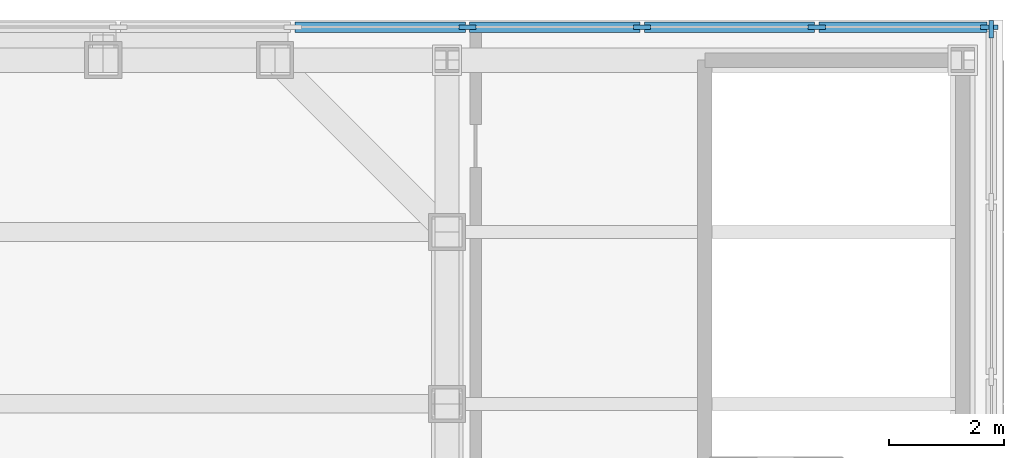
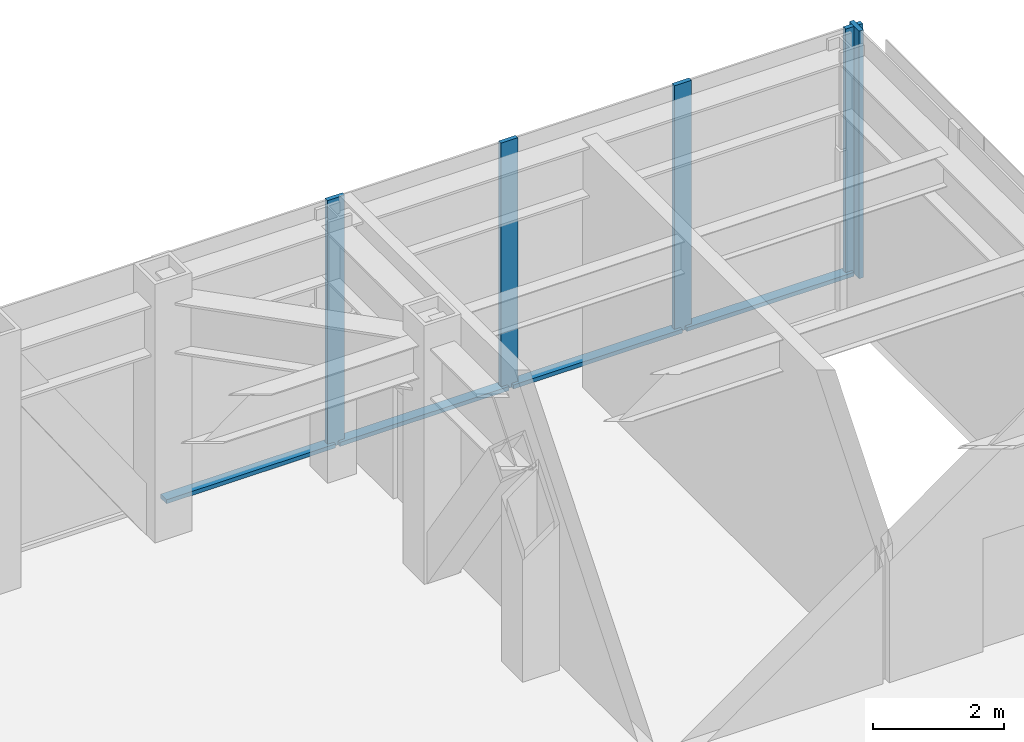
# One storey, part 11 of 24: 9 members, 2 elements without a shape of their own.
"""IFC4 building model written with IfcOpenShell, lengths in metres."""

from ifc_helpers import new_model, si_unit, direction, frame, origin, origin_2d, place, context, subcontext, project, spatial, rectangle, extrude, material, layer, layer_set, material_profile, profile_set, type_object, element, aggregate, save


model = new_model("IFC4")

# Units and contexts
model_context = context("Model", 3, precision=1e-05, world=origin(), true_north=direction((0.0, 1.0)))
body_context = subcontext(model_context, "Body", "Model", "MODEL_VIEW")
ifc_project = project(units=[si_unit("LENGTHUNIT", "METRE"), si_unit("AREAUNIT", "SQUARE_METRE"), si_unit("VOLUMEUNIT", "CUBIC_METRE"), si_unit("PLANEANGLEUNIT", "RADIAN"), si_unit("MASSUNIT", "GRAM", prefix="KILO")], contexts=[model_context])

# Site, building, storey
site_placement = place(None, origin())
site = spatial("IfcSite", under=ifc_project, at=site_placement, CompositionType="ELEMENT")
building_placement = place(site_placement, origin())
building = spatial("IfcBuilding", under=site, at=building_placement, Name="Chuquiago Exchange Tower", CompositionType="ELEMENT")
storey_placement = place(building_placement, frame((0.0, 0.0, 19.5)))
storey = spatial("IfcBuildingStorey", under=building, at=storey_placement, Name="L03", CompositionType="ELEMENT", Elevation=19.5)

# Curtain wall, member
ifc_material_1 = material(Name="Aluminium curtain wall system", Category="aluminium")
ifc_layer = layer(ifc_material_1, 0.300048828125)
ifc_layer_set = layer_set([ifc_layer], Name="CW4 podium curtain wall")
curtain_wall_type = type_object("IfcCurtainWallType", Name="CW4 podium curtain wall", PredefinedType="NOTDEFINED", material=ifc_layer_set)
curtain_wall_1_placement = place(storey_placement, origin())
curtain_wall_1 = element("IfcCurtainWall", 1, at=curtain_wall_1_placement, inside=storey, type_object=curtain_wall_type, Name="CW4 curtain wall L03", PredefinedType="NOTDEFINED")
ifc_material_2 = material(Name="Aluminium mullion, pale anodised", Category="aluminium")
ifc_material_profile_1 = material_profile(ifc_material_2, rectangle(XDim=0.074951171875, YDim=0.300048828125, at=origin_2d()), Name="AL 75x300")
ifc_profile_set_1 = profile_set([ifc_material_profile_1], Name="Aluminium mullion, pale anodised")
member_type_1 = type_object("IfcMemberType", Name="CW4-M mullion 75x300", PredefinedType="MULLION", material=ifc_profile_set_1)
member_1_placement = place(storey_placement, frame((54.5, 45.53759765625, 0.0), z_axis=(0.0, 0.0, 1.0), x_axis=(-1.0, 0.0, 0.0)))
member_1 = element("IfcMember", 2, at=member_1_placement, type_object=member_type_1, Name="CW4 mullion 22", PredefinedType="MULLION", context=body_context, shape_type="SweptSolid", body=[
    extrude(rectangle(XDim=0.074951171875, YDim=0.300048828125, at=origin_2d()), origin(), (0.0, 0.0, 1.0), 4.60009765625),
])
aggregate(curtain_wall_1, [member_1])

# Curtain wall, members
curtain_wall_2_placement = place(storey_placement, origin())
curtain_wall_2 = element("IfcCurtainWall", 3, at=curtain_wall_2_placement, inside=storey, type_object=curtain_wall_type, Name="CW4 curtain wall L03", PredefinedType="NOTDEFINED")
member_2_placement = place(storey_placement, frame((54.46240234375, 45.574951171875, 0.0), z_axis=(0.0, 0.0, 1.0), x_axis=(0.0, -1.0, 0.0)))
member_2 = element("IfcMember", 4, at=member_2_placement, type_object=member_type_1, Name="CW4 mullion 1", PredefinedType="MULLION", context=body_context, shape_type="SweptSolid", body=[
    extrude(rectangle(XDim=0.074951171875, YDim=0.300048828125, at=origin_2d()), origin(), (0.0, 0.0, 1.0), 4.60009765625),
])
member_3_placement = place(storey_placement, frame((51.452392578125, 45.574951171875, 0.0), z_axis=(0.0, 0.0, 1.0), x_axis=(0.0, -1.0, 0.0)))
member_3 = element("IfcMember", 5, at=member_3_placement, type_object=member_type_1, Name="CW4 mullion 2", PredefinedType="MULLION", context=body_context, shape_type="SweptSolid", body=[
    extrude(rectangle(XDim=0.074951171875, YDim=0.300048828125, at=origin_2d()), origin(), (0.0, 0.0, 1.0), 4.60009765625),
])
member_4_placement = place(storey_placement, frame((48.40478515625, 45.574951171875, 0.0), z_axis=(0.0, 0.0, 1.0), x_axis=(0.0, -1.0, 0.0)))
member_4 = element("IfcMember", 6, at=member_4_placement, type_object=member_type_1, Name="CW4 mullion 3", PredefinedType="MULLION", context=body_context, shape_type="SweptSolid", body=[
    extrude(rectangle(XDim=0.074951171875, YDim=0.300048828125, at=origin_2d()), origin(), (0.0, 0.0, 1.0), 4.60009765625),
])
member_5_placement = place(storey_placement, frame((45.357177734375, 45.574951171875, 0.0), z_axis=(0.0, 0.0, 1.0), x_axis=(0.0, -1.0, 0.0)))
member_5 = element("IfcMember", 7, at=member_5_placement, type_object=member_type_1, Name="CW4 mullion 4", PredefinedType="MULLION", context=body_context, shape_type="SweptSolid", body=[
    extrude(rectangle(XDim=0.074951171875, YDim=0.300048828125, at=origin_2d()), origin(), (0.0, 0.0, 1.0), 4.60009765625),
])
ifc_material_3 = material(Name="Aluminium transom, pale anodised", Category="aluminium")
ifc_material_profile_2 = material_profile(ifc_material_3, rectangle(XDim=0.179931640625, YDim=0.074951171875, at=origin_2d()), Name="AL 180x75")
ifc_profile_set_2 = profile_set([ifc_material_profile_2], Name="Aluminium transom, pale anodised")
member_type_2 = type_object("IfcMemberType", Name="CW4-T transom 75x180", PredefinedType="MULLION", material=ifc_profile_set_2)
member_6_placement = place(storey_placement, frame((54.425048828125, 45.574951171875, 0.03759765625), z_axis=(-1.0, 0.0, 0.0), x_axis=(0.0, -1.0, 0.0)))
member_6 = element("IfcMember", 8, at=member_6_placement, type_object=member_type_2, Name="CW4 transom 1.1", PredefinedType="MULLION", context=body_context, shape_type="SweptSolid", body=[
    extrude(rectangle(XDim=0.179931640625, YDim=0.074951171875, at=origin_2d()), origin(), (0.0, 0.0, 1.0), 2.93505859375),
])
member_7_placement = place(storey_placement, frame((51.414794921875, 45.574951171875, 0.03759765625), z_axis=(-1.0, 0.0, 0.0), x_axis=(0.0, -1.0, 0.0)))
member_7 = element("IfcMember", 9, at=member_7_placement, type_object=member_type_2, Name="CW4 transom 2.1", PredefinedType="MULLION", context=body_context, shape_type="SweptSolid", body=[
    extrude(rectangle(XDim=0.179931640625, YDim=0.074951171875, at=origin_2d()), origin(), (0.0, 0.0, 1.0), 2.972412109375),
])
member_8_placement = place(storey_placement, frame((48.3671875, 45.574951171875, 0.03759765625), z_axis=(-1.0, 0.0, 0.0), x_axis=(0.0, -1.0, 0.0)))
member_8 = element("IfcMember", 10, at=member_8_placement, type_object=member_type_2, Name="CW4 transom 3.1", PredefinedType="MULLION", context=body_context, shape_type="SweptSolid", body=[
    extrude(rectangle(XDim=0.179931640625, YDim=0.074951171875, at=origin_2d()), origin(), (0.0, 0.0, 1.0), 2.97265625),
])
member_9_placement = place(storey_placement, frame((45.319580078125, 45.574951171875, 0.03759765625), z_axis=(-1.0, 0.0, 0.0), x_axis=(0.0, -1.0, 0.0)))
member_9 = element("IfcMember", 11, at=member_9_placement, type_object=member_type_2, Name="CW4 transom 4.1", PredefinedType="MULLION", context=body_context, shape_type="SweptSolid", body=[
    extrude(rectangle(XDim=0.179931640625, YDim=0.074951171875, at=origin_2d()), origin(), (0.0, 0.0, 1.0), 2.97265625),
])
aggregate(curtain_wall_2, [member_2, member_3, member_4, member_5, member_6, member_7, member_8, member_9])

save(model, "model.ifc")
